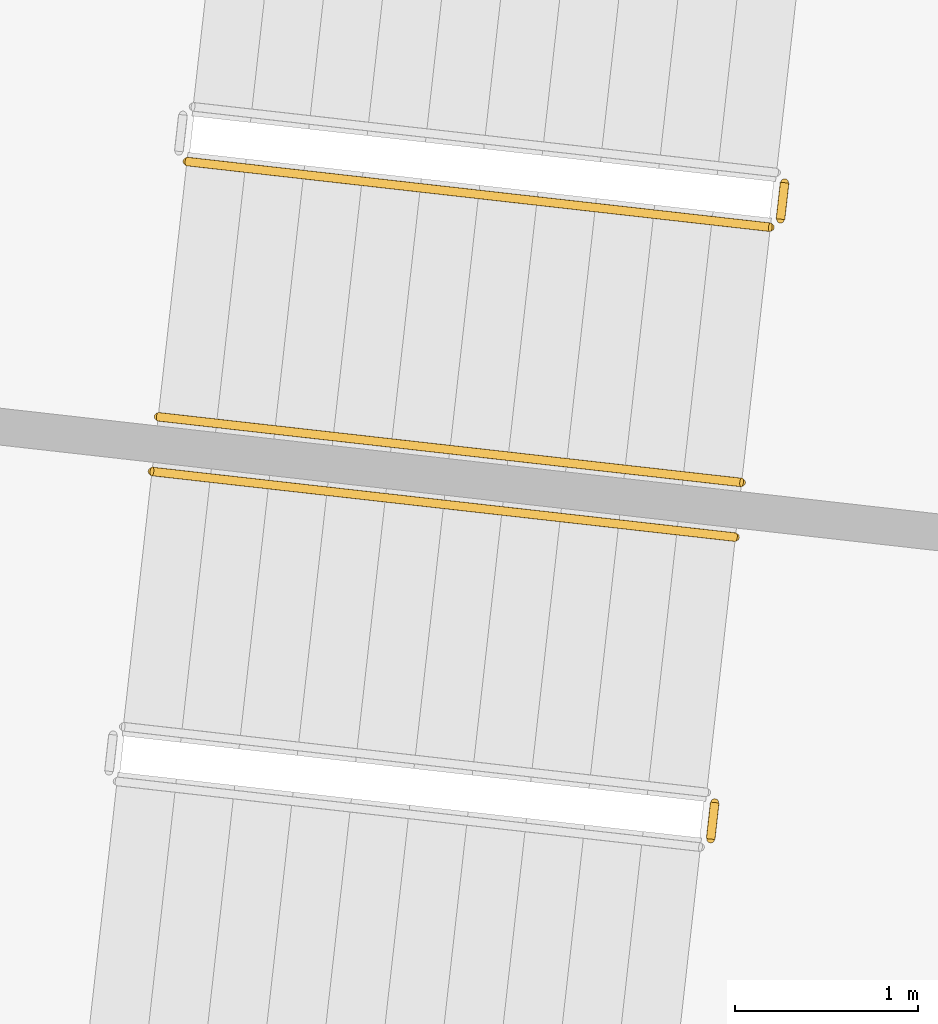
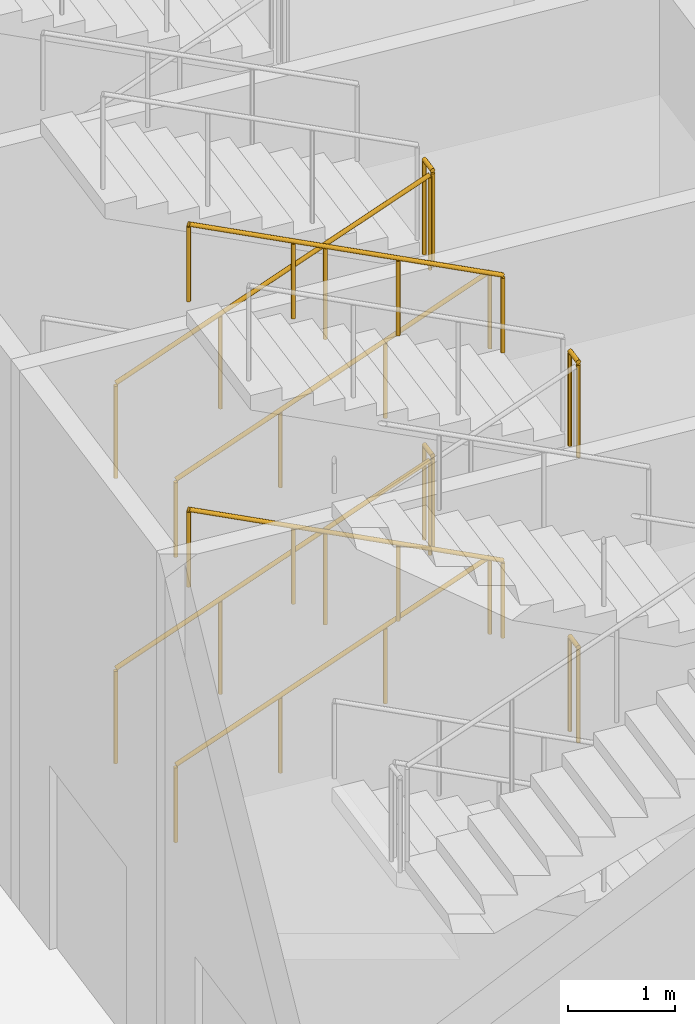
# One storey, part 215 of 255: 10 railings.
"""IFC4 building model written with IfcOpenShell, lengths in metres."""

from ifc_helpers import new_model, si_unit, direction, frame, origin, origin_2d, place, context, subcontext, project, spatial, circle, extrude, material, type_object, element, save


model = new_model("IFC4")

# Units and contexts
model_context = context("Model", 3, precision=1e-05, world=origin(), true_north=direction((0.0, 1.0)))
body_context = subcontext(model_context, "Body", "Model", "MODEL_VIEW")
ifc_project = project(units=[si_unit("LENGTHUNIT", "METRE"), si_unit("AREAUNIT", "SQUARE_METRE"), si_unit("VOLUMEUNIT", "CUBIC_METRE"), si_unit("PLANEANGLEUNIT", "RADIAN"), si_unit("MASSUNIT", "GRAM", prefix="KILO")], contexts=[model_context])

# Site, building, storey
site_placement = place(None, origin())
site = spatial("IfcSite", under=ifc_project, at=site_placement, CompositionType="ELEMENT")
building_placement = place(site_placement, origin())
building = spatial("IfcBuilding", under=site, at=building_placement, Name="Meseta Stadium", CompositionType="ELEMENT")
storey_placement = place(building_placement, origin())
storey = spatial("IfcBuildingStorey", under=building, at=storey_placement, Name="L00", CompositionType="ELEMENT", Elevation=0.0)

# Railings
ifc_material_1 = material(Name="Steel S355", Category="steel")
railing_type_1 = type_object("IfcRailingType", Name="Stair guard 1100", PredefinedType="GUARDRAIL", material=ifc_material_1)
for number, where, name in (
    (1, (92.453369140625, -57.04541015625, 1.625), "ST2 L00 guard 2"),
    (2, (92.453369140625, -57.04541015625, 4.875), "ST2 L00 guard 6"),
):
    element("IfcRailing", number, at=place(storey_placement, frame(where)), inside=storey, type_object=railing_type_1, Name=name, PredefinedType="GUARDRAIL", context=body_context, shape_type="SweptSolid", body=[
        extrude(circle(Radius=0.02392578125, at=origin_2d()), frame((0.0, 0.0, 1.076171875), z_axis=(0.111101504696, 0.993809063983, 0.0), x_axis=(-0.993809063983, 0.111101504696, 0.0)), (0.0, 0.0, 1.0), 0.199951171875),
        extrude(circle(Radius=0.02099609375, at=origin_2d()), origin(), (0.0, 0.0, 1.0), 1.052001953125),
        extrude(circle(Radius=0.02099609375, at=origin_2d()), frame((0.022216796875, 0.19873046875, 0.0)), (0.0, 0.0, 1.0), 1.052001953125),
    ])
railing_1_placement = place(storey_placement, frame((89.598876953125, -53.3525390625, 0.147705078125)))
element("IfcRailing", 3, at=railing_1_placement, inside=storey, type_object=railing_type_1, Name="ST3 L00 guard 1", PredefinedType="GUARDRAIL", context=body_context, shape_type="SweptSolid", body=[
    extrude(circle(Radius=0.02392578125, at=origin_2d()), frame((0.0, 0.0, 1.076171875), z_axis=(0.902197403174, -0.101691169215, 0.419164349402), x_axis=(0.112005735442, 0.993707560215, 0.0)), (0.0, 0.0, 1.0), 3.5244140625),
    extrude(circle(Radius=0.02099609375, at=origin_2d()), origin(), (0.0, 0.0, 1.0), 1.052001953125),
    extrude(circle(Radius=0.02099609375, at=origin_2d()), frame((1.059814453125, -0.119384765625, 0.492431640625)), (0.0, 0.0, 1.0), 1.052001953125),
    extrude(circle(Radius=0.02099609375, at=origin_2d()), frame((2.119873046875, -0.239013671875, 0.98486328125)), (0.0, 0.0, 1.0), 1.052001953125),
    extrude(circle(Radius=0.02099609375, at=origin_2d()), frame((3.1796875, -0.3583984375, 1.477294921875)), (0.0, 0.0, 1.0), 1.052001953125),
])
railing_2_placement = place(storey_placement, frame((92.833984375, -53.666748046875, 1.625)))
element("IfcRailing", 4, at=railing_2_placement, inside=storey, type_object=railing_type_1, Name="ST3 L00 guard 2", PredefinedType="GUARDRAIL", context=body_context, shape_type="SweptSolid", body=[
    extrude(circle(Radius=0.02392578125, at=origin_2d()), frame((0.0, 0.0, 1.076171875), z_axis=(0.112307083986, 0.993673547442, 0.0), x_axis=(-0.993673547442, 0.112307083986, 0.0)), (0.0, 0.0, 1.0), 0.199951171875),
    extrude(circle(Radius=0.02099609375, at=origin_2d()), origin(), (0.0, 0.0, 1.0), 1.052001953125),
    extrude(circle(Radius=0.02099609375, at=origin_2d()), frame((0.0224609375, 0.19873046875, 0.0)), (0.0, 0.0, 1.0), 1.052001953125),
])
railing_3_placement = place(storey_placement, frame((89.598876953125, -53.3525390625, 3.397705078125)))
element("IfcRailing", 5, at=railing_3_placement, inside=storey, type_object=railing_type_1, Name="ST3 L00 guard 5", PredefinedType="GUARDRAIL", context=body_context, shape_type="SweptSolid", body=[
    extrude(circle(Radius=0.02392578125, at=origin_2d()), frame((0.0, 0.0, 1.076171875), z_axis=(0.902197403174, -0.101691169215, 0.419164349402), x_axis=(0.112005735442, 0.993707560215, 0.0)), (0.0, 0.0, 1.0), 3.5244140625),
    extrude(circle(Radius=0.02099609375, at=origin_2d()), origin(), (0.0, 0.0, 1.0), 1.052001953125),
    extrude(circle(Radius=0.02099609375, at=origin_2d()), frame((1.059814453125, -0.119384765625, 0.492431640625)), (0.0, 0.0, 1.0), 1.052001953125),
    extrude(circle(Radius=0.02099609375, at=origin_2d()), frame((2.119873046875, -0.239013671875, 0.98486328125)), (0.0, 0.0, 1.0), 1.052001953125),
    extrude(circle(Radius=0.02099609375, at=origin_2d()), frame((3.1796875, -0.3583984375, 1.477294921875)), (0.0, 0.0, 1.0), 1.052001953125),
])
railing_4_placement = place(storey_placement, frame((92.833984375, -53.666748046875, 4.875)))
element("IfcRailing", 6, at=railing_4_placement, inside=storey, type_object=railing_type_1, Name="ST3 L00 guard 6", PredefinedType="GUARDRAIL", context=body_context, shape_type="SweptSolid", body=[
    extrude(circle(Radius=0.02392578125, at=origin_2d()), frame((0.0, 0.0, 1.076171875), z_axis=(0.112307083986, 0.993673547442, 0.0), x_axis=(-0.993673547442, 0.112307083986, 0.0)), (0.0, 0.0, 1.0), 0.199951171875),
    extrude(circle(Radius=0.02099609375, at=origin_2d()), origin(), (0.0, 0.0, 1.0), 1.052001953125),
    extrude(circle(Radius=0.02099609375, at=origin_2d()), frame((0.0224609375, 0.19873046875, 0.0)), (0.0, 0.0, 1.0), 1.052001953125),
])
ifc_material_2 = material(Name="Steel S355", Category="steel")
railing_type_2 = type_object("IfcRailingType", Name="Stair handrail 900", PredefinedType="HANDRAIL", material=ifc_material_2)
for number, where, name in (
    (7, (92.58837890625, -55.400146484375, 1.772705078125), "ST2 L00 handrail 2"),
    (8, (92.58837890625, -55.400146484375, 5.022705078125), "ST2 L00 handrail 4"),
):
    element("IfcRailing", number, at=place(storey_placement, frame(where)), inside=storey, type_object=railing_type_2, Name=name, PredefinedType="HANDRAIL", context=body_context, shape_type="SweptSolid", body=[
        extrude(circle(Radius=0.02392578125, at=origin_2d()), frame((0.0, 0.0, 0.8759765625), z_axis=(-0.902216641888, 0.101616262084, 0.419141105571), x_axis=(-0.11192190762, -0.993717005286, 0.0)), (0.0, 0.0, 1.0), 3.524658203125),
        extrude(circle(Radius=0.02099609375, at=origin_2d()), origin(), (0.0, 0.0, 1.0), 0.851806640625),
        extrude(circle(Radius=0.02099609375, at=origin_2d()), frame((-1.06005859375, 0.119384765625, 0.492431640625)), (0.0, 0.0, 1.0), 0.851806640625),
        extrude(circle(Radius=0.02099609375, at=origin_2d()), frame((-2.119873046875, 0.23876953125, 0.98486328125)), (0.0, 0.0, 1.0), 0.851806640625),
        extrude(circle(Radius=0.02099609375, at=origin_2d()), frame((-3.179931640625, 0.358154296875, 1.477294921875)), (0.0, 0.0, 1.0), 0.851806640625),
    ])
for number, where, name in (
    (9, (89.442138671875, -54.743896484375, 0.147705078125), "ST3 L00 handrail 1"),
    (10, (89.442138671875, -54.743896484375, 3.397705078125), "ST3 L00 handrail 3"),
):
    element("IfcRailing", number, at=place(storey_placement, frame(where)), inside=storey, type_object=railing_type_2, Name=name, PredefinedType="HANDRAIL", context=body_context, shape_type="SweptSolid", body=[
        extrude(circle(Radius=0.02392578125, at=origin_2d()), frame((0.0, 0.0, 0.8759765625), z_axis=(0.902203756464, -0.101622612925, 0.419167301164), x_axis=(0.111930393474, 0.993716049491, 0.0)), (0.0, 0.0, 1.0), 3.5244140625),
        extrude(circle(Radius=0.02099609375, at=origin_2d()), origin(), (0.0, 0.0, 1.0), 0.851806640625),
        extrude(circle(Radius=0.02099609375, at=origin_2d()), frame((1.059814453125, -0.119384765625, 0.492431640625)), (0.0, 0.0, 1.0), 0.851806640625),
        extrude(circle(Radius=0.02099609375, at=origin_2d()), frame((2.119873046875, -0.23876953125, 0.98486328125)), (0.0, 0.0, 1.0), 0.851806640625),
        extrude(circle(Radius=0.02099609375, at=origin_2d()), frame((3.1796875, -0.358154296875, 1.477294921875)), (0.0, 0.0, 1.0), 0.851806640625),
    ])

save(model, "model.ifc")
